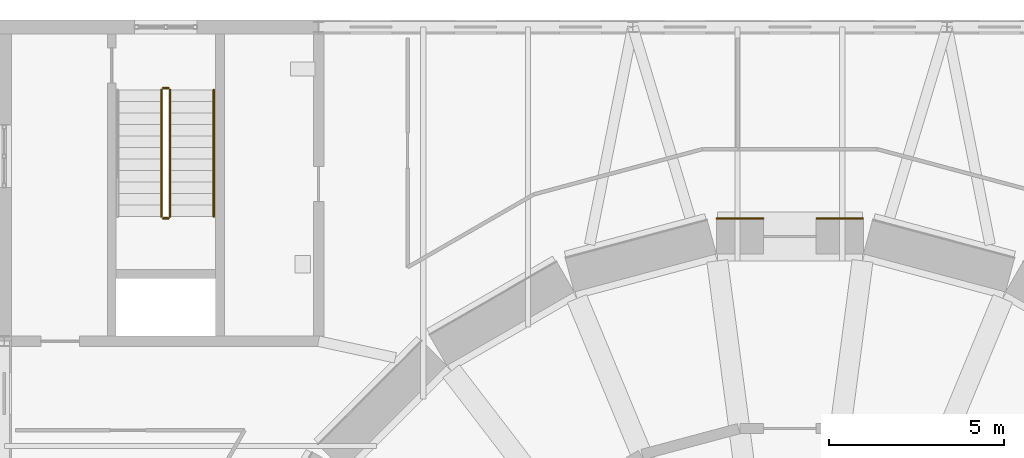
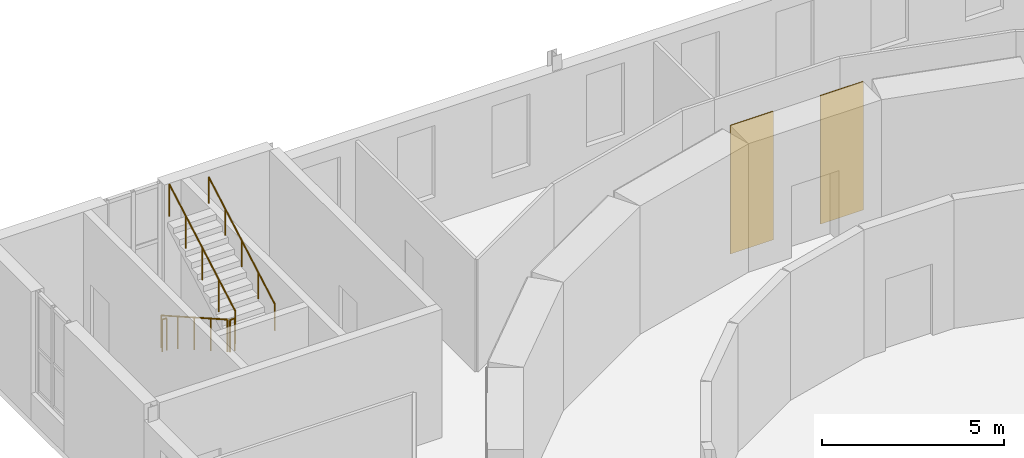
# One storey, part 123 of 131: 5 railings, 2 coverings.
"""IFC4 building model written with IfcOpenShell, lengths in metres."""

import ifcopenshell
import ifcopenshell.guid

model = None  # the IFC model being written
_history = None  # IfcOwnerHistory: only IFC2X3 demands one
_inside = {}  # id of a spatial element -> (the spatial element, [elements in it])
_under = {}  # id of a project, library or spatial element -> (it, [spatial elements below it])
_declared = {}  # id of a project -> (the project, [libraries it declares])
_typed = {}  # id of a type object -> (the type object, [elements of that type])
_made_of = {}  # id of a material, layer set ... -> (it, [elements and type objects made of it])


def new_model(schema):
    """Start an empty IFC model of exactly this schema.

    Asked for "IFC4X3", IfcOpenShell would pick the latest addendum, in which some entities
    have other attributes; the version numbers below select the first issue.
    IFC2X3 requires an IfcOwnerHistory on every rooted entity: one is made here for all.
    """
    global model, _history
    if schema == "IFC4X3":
        model = ifcopenshell.file(schema_version=(4, 3, 0, 0))
    else:
        model = ifcopenshell.file(schema=schema)
    _inside.clear()
    _under.clear()
    _declared.clear()
    _typed.clear()
    _made_of.clear()
    _history = None
    if model.schema == "IFC2X3":
        org = make("IfcOrganization", Name="unknown")
        user = make(
            "IfcPersonAndOrganization",
            ThePerson=make("IfcPerson", FamilyName="unknown"),
            TheOrganization=org,
        )
        app = make(
            "IfcApplication",
            ApplicationDeveloper=org,
            Version="unknown",
            ApplicationFullName="unknown",
            ApplicationIdentifier="unknown",
        )
        _history = make(
            "IfcOwnerHistory",
            OwningUser=user,
            OwningApplication=app,
            ChangeAction="ADDED",
            CreationDate=0,
        )
    return model


def make(cls, **values):
    """One entity of the class cls with the attributes given. An attribute that is None is left unset."""
    return model.create_entity(
        cls, **{name: value for name, value in values.items() if value is not None}
    )


def rooted(cls, **values):
    """An entity with a GlobalId (a new one), such as an element, a storey or a relation."""
    return make(cls, GlobalId=ifcopenshell.guid.new(), OwnerHistory=_history, **values)


def si_unit(unit_type, name, prefix=None):
    """IfcSIUnit, for example si_unit("LENGTHUNIT", "METRE", prefix="MILLI")."""
    return make("IfcSIUnit", UnitType=unit_type, Prefix=prefix, Name=name)


def assignment(units):
    """IfcUnitAssignment: the units of a project."""
    return None if units is None else make("IfcUnitAssignment", Units=units)


def point(xyz):
    """IfcCartesianPoint."""
    return None if xyz is None else make("IfcCartesianPoint", Coordinates=xyz)


def direction(xyz):
    """IfcDirection."""
    return None if xyz is None else make("IfcDirection", DirectionRatios=xyz)


def frame(location, z_axis=None, x_axis=None):
    """IfcAxis2Placement3D, a coordinate frame: its origin and axes. An axis left out is left unset."""
    return make(
        "IfcAxis2Placement3D",
        Location=point(location),
        Axis=direction(z_axis),
        RefDirection=direction(x_axis),
    )


def frame_2d(location, x_axis=None):
    """IfcAxis2Placement2D, a coordinate frame in the plane: its origin and x axis."""
    return make(
        "IfcAxis2Placement2D", Location=point(location), RefDirection=direction(x_axis)
    )


def origin():
    """The frame at (0, 0, 0) with its axes left unset."""
    return frame((0.0, 0.0, 0.0))


def origin_2d():
    """The frame at (0, 0) in the plane with its x axis left unset."""
    return frame_2d((0.0, 0.0))


def place(relative_to, where):
    """IfcLocalPlacement: puts the frame where relative to a parent placement (None: the world)."""
    return make(
        "IfcLocalPlacement", PlacementRelTo=relative_to, RelativePlacement=where
    )


def context(
    kind, dimensions, precision=None, world=None, true_north=None, identifier=None
):
    """IfcGeometricRepresentationContext, for example the 3D "Model" context."""
    return make(
        "IfcGeometricRepresentationContext",
        ContextIdentifier=identifier,
        ContextType=kind,
        CoordinateSpaceDimension=dimensions,
        Precision=precision,
        WorldCoordinateSystem=world,
        TrueNorth=true_north,
    )


def subcontext(parent, identifier, kind, view, scale=None):
    """IfcGeometricRepresentationSubContext, for example "Body" below "Model"."""
    return make(
        "IfcGeometricRepresentationSubContext",
        ContextIdentifier=identifier,
        ContextType=kind,
        ParentContext=parent,
        TargetScale=scale,
        TargetView=view,
    )


def project(units=None, contexts=None):
    """IfcProject with its units and contexts."""
    return rooted(
        "IfcProject",
        Name="project",
        RepresentationContexts=contexts,
        UnitsInContext=assignment(units),
    )


def spatial(cls, under=None, at=None, **own):
    """A site, building, storey or space (cls), placed at a placement, below another one or the project."""
    s = rooted(cls, ObjectPlacement=at, **own)
    if under is not None:
        _under.setdefault(under.id(), (under, []))[1].append(s)
    return s


def profile(cls, at=None, kind="AREA", **sizes):
    """A parametric profile (cls). Its sizes go by their IFC names, for example OverallWidth=200.0."""
    return make(cls, ProfileType=kind, Position=at, **sizes)


def rectangle(**sizes):
    """IfcRectangleProfileDef."""
    return profile("IfcRectangleProfileDef", **sizes)


def circle(**sizes):
    """IfcCircleProfileDef."""
    return profile("IfcCircleProfileDef", **sizes)


def extrude(swept, where, along, depth):
    """IfcExtrudedAreaSolid: the profile swept, set in the frame where, extruded along a direction by depth."""
    return make(
        "IfcExtrudedAreaSolid",
        SweptArea=swept,
        Position=where,
        ExtrudedDirection=direction(along),
        Depth=depth,
    )


def shape(context_of_items, identifier, shape_type, items):
    """IfcShapeRepresentation: the items that make up one representation, for example the "Body"."""
    return make(
        "IfcShapeRepresentation",
        ContextOfItems=context_of_items,
        RepresentationIdentifier=identifier,
        RepresentationType=shape_type,
        Items=items,
    )


def material(Name=None, Category=None):
    """IfcMaterial."""
    return make("IfcMaterial", Name=Name, Category=Category)


def layer(
    of_material, thickness, ventilated=None, Name=None, Category=None, Priority=None
):
    """IfcMaterialLayer: one layer of a wall or slab, of a material (None: an air gap)."""
    return make(
        "IfcMaterialLayer",
        Material=of_material,
        LayerThickness=thickness,
        IsVentilated=ventilated,
        Name=Name,
        Category=Category,
        Priority=Priority,
    )


def layer_set(layers, Name=None):
    """IfcMaterialLayerSet."""
    return make("IfcMaterialLayerSet", MaterialLayers=layers, LayerSetName=Name)


def made_of(thing, what):
    """Note that an element or type object is made of a material, layer set ...; save() writes the relation."""
    if what is not None:
        _made_of.setdefault(what.id(), (what, []))[1].append(thing)
    return thing


def type_object(cls, material=None, **own):
    """A type object (cls), such as IfcWallType, which elements share."""
    return made_of(rooted(cls, **own), material)


def element(
    cls,
    number,
    at=None,
    inside=None,
    cuts=None,
    type_object=None,
    material=None,
    context=None,
    identifier="Body",
    shape_type=None,
    held_by="IfcProductDefinitionShape",
    body=None,
    shapes=None,
    **own,
):
    """One element of the class cls, such as IfcWall. Its Tag is "e" and its number.

    at: its placement. inside: the storey or other place that contains it. cuts: it is an
    opening in that element (IfcRelVoidsElement). A single representation is given by context,
    identifier, shape_type and body (its items); several are given by shapes. held_by: the class
    of the entity that holds the representations. save() writes the other relations.
    """
    e = rooted(cls, Tag="e%d" % number, ObjectPlacement=at, **own)
    if body is not None:
        shapes = [shape(context, identifier, shape_type, body)]
    if shapes is not None:
        e.Representation = make(held_by, Representations=shapes)
    if inside is not None:
        _inside.setdefault(inside.id(), (inside, []))[1].append(e)
    if cuts is not None:
        rooted(
            "IfcRelVoidsElement", RelatingBuildingElement=cuts, RelatedOpeningElement=e
        )
    if type_object is not None:
        _typed.setdefault(type_object.id(), (type_object, []))[1].append(e)
    return made_of(e, material)


def aggregate(whole, parts):
    """IfcRelAggregates: a whole, such as a stair, and the parts it consists of."""
    return rooted("IfcRelAggregates", RelatingObject=whole, RelatedObjects=parts)


def save(model, path):
    """Write the relations noted so far, then the file.

    IfcRelAggregates (storeys below a building ...), IfcRelContainedInSpatialStructure (elements
    in a storey), IfcRelDefinesByType, IfcRelAssociatesMaterial and IfcRelDeclares: one each for
    every whole, place, type object, material and project.
    """
    for whole, parts in _under.values():
        aggregate(whole, parts)
    for where, things in _inside.values():
        rooted(
            "IfcRelContainedInSpatialStructure",
            RelatedElements=things,
            RelatingStructure=where,
        )
    for kind, things in _typed.values():
        rooted("IfcRelDefinesByType", RelatedObjects=things, RelatingType=kind)
    for what, things in _made_of.values():
        rooted("IfcRelAssociatesMaterial", RelatedObjects=things, RelatingMaterial=what)
    for by, libraries in _declared.values():
        rooted("IfcRelDeclares", RelatingContext=by, RelatedDefinitions=libraries)
    model.write(path)


model = new_model("IFC4")

# Units and contexts
model_context = context("Model", 3, precision=1e-05, world=origin(), true_north=direction((0.0, 1.0)))
body_context = subcontext(model_context, "Body", "Model", "MODEL_VIEW")
ifc_project = project(units=[si_unit("LENGTHUNIT", "METRE"), si_unit("AREAUNIT", "SQUARE_METRE"), si_unit("VOLUMEUNIT", "CUBIC_METRE"), si_unit("PLANEANGLEUNIT", "RADIAN"), si_unit("MASSUNIT", "GRAM", prefix="KILO")], contexts=[model_context])

# Site, building, storey
site_placement = place(None, origin())
site = spatial("IfcSite", under=ifc_project, at=site_placement, CompositionType="ELEMENT")
building_placement = place(site_placement, origin())
building = spatial("IfcBuilding", under=site, at=building_placement, Name="Golden Quay Civic Hall", CompositionType="ELEMENT")
storey_placement = place(building_placement, frame((0.0, 0.0, 9.89990234375)))
storey = spatial("IfcBuildingStorey", under=building, at=storey_placement, Name="L02", CompositionType="ELEMENT", Elevation=9.89990234375)

# Coverings
ifc_material_1 = material(Name="Ceramic tile")
ifc_layer = layer(ifc_material_1, 0.030029296875)
ifc_layer_set = layer_set([ifc_layer], Name="Ceramic tile cladding, green glaze")
covering_type = type_object("IfcCoveringType", Name="Ceramic tile cladding, green glaze", PredefinedType="CLADDING", material=ifc_layer_set)
for number, where, z_axis, x_axis, name in (
    (1, (86.92822265625, 102.514892578125, 0.0), (0.0, 0.0, 1.0), (-1.0, 0.0, 0.0), "Drum cladding 6.1"),
    (2, (84.07177734375, 102.514892578125, 0.0), (0.0, 0.0, 1.0), (-1.0, 0.0, 0.0), "Drum cladding 6.2"),
):
    element("IfcCovering", number, at=place(storey_placement, frame(where, z_axis=z_axis, x_axis=x_axis)), inside=storey, type_object=covering_type, Name=name, PredefinedType="CLADDING", context=body_context, shape_type="SweptSolid", body=[
        extrude(rectangle(XDim=1.3564453125, YDim=0.030029296875, at=origin_2d()), origin(), (0.0, 0.0, 1.0), 4.300048828125),
    ])

# Railings
ifc_material_2 = material(Name="Steel S355", Category="steel")
railing_type_1 = type_object("IfcRailingType", Name="Steel guard 1100", PredefinedType="GUARDRAIL", material=ifc_material_2)
railing_1_placement = place(storey_placement, frame((67.5, 106.199951171875, 0.1875)))
element("IfcRailing", 3, at=railing_1_placement, inside=storey, type_object=railing_type_1, Name="L02 CB-NW stair guard 1", PredefinedType="GUARDRAIL", context=body_context, shape_type="SweptSolid", body=[
    extrude(circle(Radius=0.02392578125, at=origin_2d()), frame((0.0, 0.0, 1.076171875), z_axis=(0.0, -0.869449707104, 0.494021463923), x_axis=(1.0, 0.0, 0.0)), (0.0, 0.0, 1.0), 4.1748046875),
    extrude(circle(Radius=0.02099609375, at=origin_2d()), origin(), (0.0, 0.0, 1.0), 1.052001953125),
    extrude(circle(Radius=0.02099609375, at=origin_2d()), frame((0.0, -0.907470703125, 0.515625)), (0.0, 0.0, 1.0), 1.052001953125),
    extrude(circle(Radius=0.02099609375, at=origin_2d()), frame((0.0, -1.81494140625, 1.03125)), (0.0, 0.0, 1.0), 1.052001953125),
    extrude(circle(Radius=0.02099609375, at=origin_2d()), frame((0.0, -2.722412109375, 1.546875)), (0.0, 0.0, 1.0), 1.052001953125),
    extrude(circle(Radius=0.02099609375, at=origin_2d()), frame((0.0, -3.6298828125, 2.0625)), (0.0, 0.0, 1.0), 1.052001953125),
])
railing_2_placement = place(storey_placement, frame((67.550048828125, 102.52001953125, 2.25)))
element("IfcRailing", 4, at=railing_2_placement, inside=storey, type_object=railing_type_1, Name="L02 CB-NW stair guard 2", PredefinedType="GUARDRAIL", context=body_context, shape_type="SweptSolid", body=[
    extrude(circle(Radius=0.02392578125, at=origin_2d()), frame((0.0, 0.0, 1.076171875), z_axis=(1.0, 0.0, 0.0), x_axis=(0.0, 1.0, 0.0)), (0.0, 0.0, 1.0), 0.14990234375),
    extrude(circle(Radius=0.02099609375, at=origin_2d()), origin(), (0.0, 0.0, 1.0), 1.052001953125),
    extrude(circle(Radius=0.02099609375, at=origin_2d()), frame((0.14990234375, 0.0, 0.0)), (0.0, 0.0, 1.0), 1.052001953125),
])
railing_3_placement = place(storey_placement, frame((67.75, 102.570068359375, 2.4375)))
element("IfcRailing", 5, at=railing_3_placement, inside=storey, type_object=railing_type_1, Name="L02 CB-NW stair guard 3", PredefinedType="GUARDRAIL", context=body_context, shape_type="SweptSolid", body=[
    extrude(circle(Radius=0.02392578125, at=origin_2d()), frame((0.0, 0.0, 1.076171875), z_axis=(0.0, 0.869449707104, 0.494021463923), x_axis=(-1.0, 0.0, 0.0)), (0.0, 0.0, 1.0), 4.1748046875),
    extrude(circle(Radius=0.02099609375, at=origin_2d()), origin(), (0.0, 0.0, 1.0), 1.052001953125),
    extrude(circle(Radius=0.02099609375, at=origin_2d()), frame((0.0, 0.907470703125, 0.515625)), (0.0, 0.0, 1.0), 1.052001953125),
    extrude(circle(Radius=0.02099609375, at=origin_2d()), frame((0.0, 1.81494140625, 1.03125)), (0.0, 0.0, 1.0), 1.052001953125),
    extrude(circle(Radius=0.02099609375, at=origin_2d()), frame((0.0, 2.722412109375, 1.546875)), (0.0, 0.0, 1.0), 1.052001953125),
    extrude(circle(Radius=0.02099609375, at=origin_2d()), frame((0.0, 3.6298828125, 2.0625)), (0.0, 0.0, 1.0), 1.052001953125),
])
railing_4_placement = place(storey_placement, frame((67.550048828125, 106.25, 0.0)))
element("IfcRailing", 6, at=railing_4_placement, inside=storey, type_object=railing_type_1, Name="L02 CB-NW stair guard 4", PredefinedType="GUARDRAIL", context=body_context, shape_type="SweptSolid", body=[
    extrude(circle(Radius=0.02392578125, at=origin_2d()), frame((0.0, 0.0, 1.076171875), z_axis=(1.0, 0.0, 0.0), x_axis=(0.0, 1.0, 0.0)), (0.0, 0.0, 1.0), 0.14990234375),
    extrude(circle(Radius=0.02099609375, at=origin_2d()), origin(), (0.0, 0.0, 1.0), 1.052001953125),
    extrude(circle(Radius=0.02099609375, at=origin_2d()), frame((0.14990234375, 0.0, 0.0)), (0.0, 0.0, 1.0), 1.052001953125),
])
ifc_material_3 = material(Name="Steel S355", Category="steel")
railing_type_2 = type_object("IfcRailingType", Name="Steel handrail 900", PredefinedType="HANDRAIL", material=ifc_material_3)
railing_5_placement = place(storey_placement, frame((69.0, 102.570068359375, 2.4375)))
element("IfcRailing", 7, at=railing_5_placement, inside=storey, type_object=railing_type_2, Name="L02 CB-NW stair handrail 2", PredefinedType="HANDRAIL", context=body_context, shape_type="SweptSolid", body=[
    extrude(circle(Radius=0.02392578125, at=origin_2d()), frame((0.0, 0.0, 0.8759765625), z_axis=(0.0, 0.869449707104, 0.494021463923), x_axis=(-1.0, 0.0, 0.0)), (0.0, 0.0, 1.0), 4.1748046875),
    extrude(circle(Radius=0.02099609375, at=origin_2d()), origin(), (0.0, 0.0, 1.0), 0.851806640625),
    extrude(circle(Radius=0.02099609375, at=origin_2d()), frame((0.0, 0.907470703125, 0.515625)), (0.0, 0.0, 1.0), 0.851806640625),
    extrude(circle(Radius=0.02099609375, at=origin_2d()), frame((0.0, 1.81494140625, 1.03125)), (0.0, 0.0, 1.0), 0.851806640625),
    extrude(circle(Radius=0.02099609375, at=origin_2d()), frame((0.0, 2.722412109375, 1.546875)), (0.0, 0.0, 1.0), 0.851806640625),
    extrude(circle(Radius=0.02099609375, at=origin_2d()), frame((0.0, 3.6298828125, 2.0625)), (0.0, 0.0, 1.0), 0.851806640625),
])

save(model, "model.ifc")
